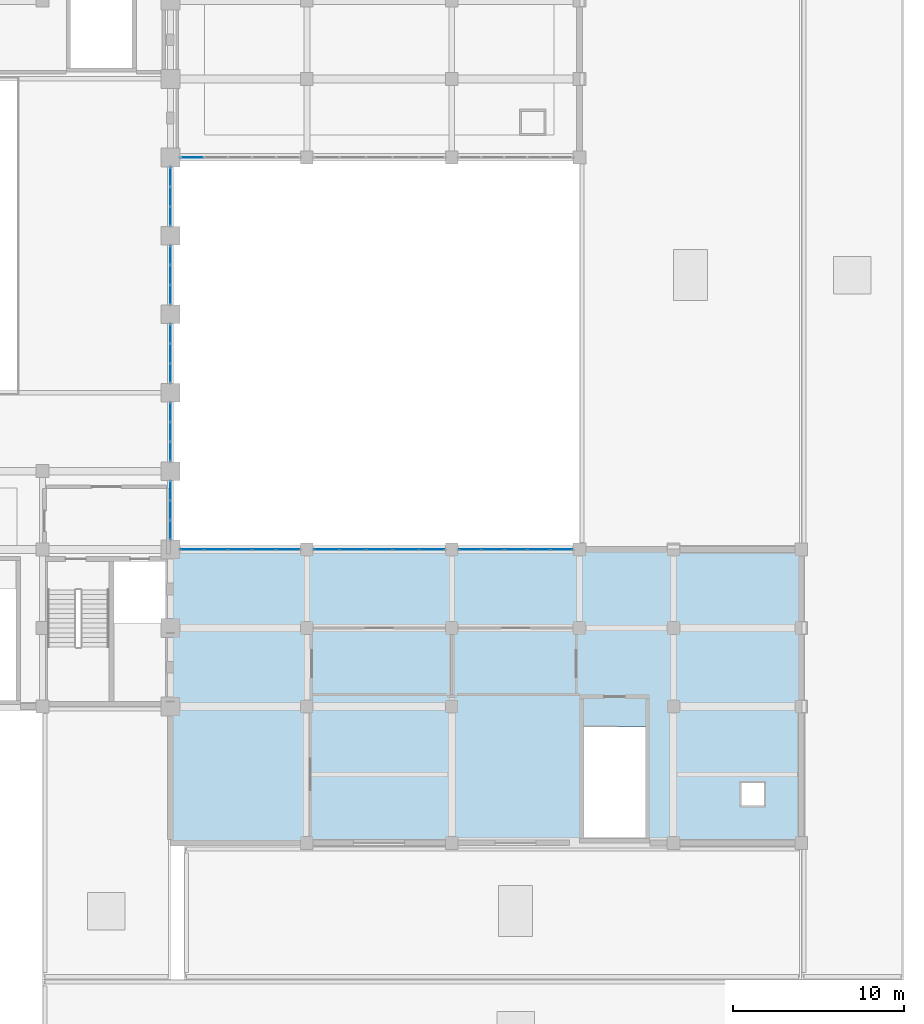
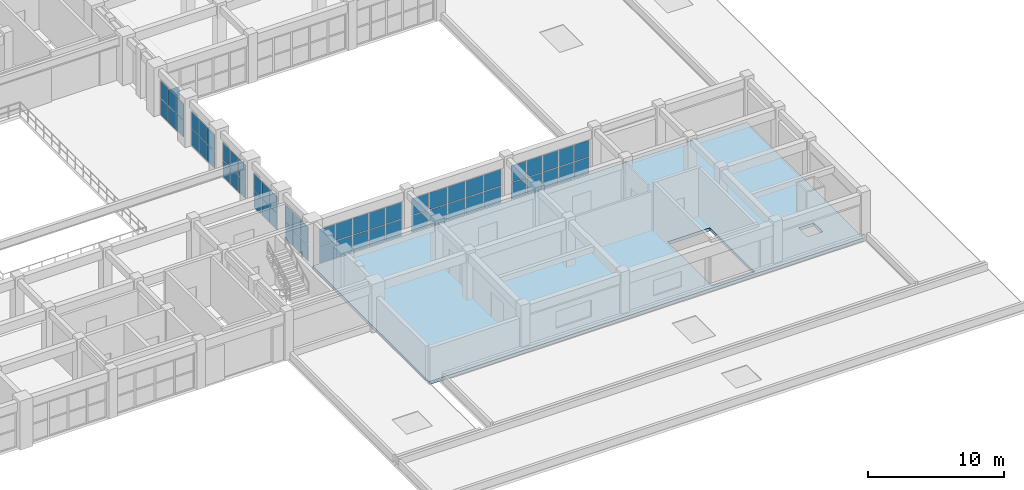
# One storey, part 60 of 90: 61 plates, 1 slab, 9 elements without a shape of their own.
"""IFC4 building model written with IfcOpenShell, lengths in metres."""

from ifc_helpers import new_model, si_unit, direction, frame, origin, origin_2d, place, context, subcontext, project, spatial, polyline, rectangle, outline, extrude, material, layer, layer_set, type_object, element, aggregate, save


model = new_model("IFC4")

# Units and contexts
model_context = context("Model", 3, precision=1e-05, world=origin(), true_north=direction((0.0, 1.0)))
body_context = subcontext(model_context, "Body", "Model", "MODEL_VIEW")
ifc_project = project(units=[si_unit("LENGTHUNIT", "METRE"), si_unit("AREAUNIT", "SQUARE_METRE"), si_unit("VOLUMEUNIT", "CUBIC_METRE"), si_unit("PLANEANGLEUNIT", "RADIAN"), si_unit("MASSUNIT", "GRAM", prefix="KILO")], contexts=[model_context])

# Site, building, storey
site_placement = place(None, origin())
site = spatial("IfcSite", under=ifc_project, at=site_placement, CompositionType="ELEMENT")
building_placement = place(site_placement, origin())
building = spatial("IfcBuilding", under=site, at=building_placement, Name="Muzn Square Opera House", CompositionType="ELEMENT")
storey_placement = place(building_placement, frame((0.0, 0.0, 9.800048828125)))
storey = spatial("IfcBuildingStorey", under=building, at=storey_placement, Name="L02", CompositionType="ELEMENT", Elevation=9.800048828125)

# Curtain wall, plates
ifc_material_1 = material(Name="Low-E laminated acoustic double glazing", Category="glass")
ifc_layer_1 = layer(ifc_material_1, 0.159912109375, Name="Low-E laminated acoustic double glazing", Category="glass")
ifc_layer_set_1 = layer_set([ifc_layer_1], Name="Low-E laminated acoustic double glazing")
curtain_wall_type_1 = type_object("IfcCurtainWallType", Name="Glazed Curtain Wall EastVaultCourt 3500x3150", PredefinedType="USERDEFINED", material=ifc_layer_set_1)
curtain_wall_1_placement = place(storey_placement, origin())
curtain_wall_1 = element("IfcCurtainWall", 1, at=curtain_wall_1_placement, inside=storey, type_object=curtain_wall_type_1, Name="Glazed Curtain Wall CW-L02-050", ObjectType="GLAZED CURTAIN WALL", PredefinedType="USERDEFINED")
ifc_layer_2 = layer(ifc_material_1, 0.028076171875, Name="Low-E laminated acoustic double glazing", Category="glass")
ifc_layer_set_2 = layer_set([ifc_layer_2], Name="Low-E laminated acoustic double glazing")
plate_type = type_object("IfcPlateType", Name="Curtain Wall Acoustic Glazed Panel 28mm", PredefinedType="CURTAIN_PANEL", material=ifc_layer_set_2)
plate_1_placement = place(storey_placement, frame((133.0, 32.348388671875, 0.06005859375), z_axis=(0.0, 0.0, 1.0), x_axis=(0.0, 1.0, 0.0)))
plate_1 = element("IfcPlate", 2, at=plate_1_placement, type_object=plate_type, Name="CW-EVC-35x31 panel 1.1", PredefinedType="CURTAIN_PANEL", context=body_context, shape_type="SweptSolid", body=[
    extrude(rectangle(XDim=1.07666015625, YDim=0.028076171875, at=origin_2d()), origin(), (0.0, 0.0, 1.0), 1.485107421875),
])
plate_2_placement = place(storey_placement, frame((133.0, 32.348388671875, 1.60498046875), z_axis=(0.0, 0.0, 1.0), x_axis=(0.0, 1.0, 0.0)))
plate_2 = element("IfcPlate", 3, at=plate_2_placement, type_object=plate_type, Name="CW-EVC-35x31 panel 1.2", PredefinedType="CURTAIN_PANEL", context=body_context, shape_type="SweptSolid", body=[
    extrude(rectangle(XDim=1.07666015625, YDim=0.028076171875, at=origin_2d()), origin(), (0.0, 0.0, 1.0), 1.485107421875),
])
plate_3_placement = place(storey_placement, frame((133.0, 33.5, 0.06005859375), z_axis=(0.0, 0.0, 1.0), x_axis=(0.0, 1.0, 0.0)))
plate_3 = element("IfcPlate", 4, at=plate_3_placement, type_object=plate_type, Name="CW-EVC-35x31 panel 2.1", PredefinedType="CURTAIN_PANEL", context=body_context, shape_type="SweptSolid", body=[
    extrude(rectangle(XDim=1.106689453125, YDim=0.028076171875, at=origin_2d()), origin(), (0.0, 0.0, 1.0), 1.485107421875),
])
plate_4_placement = place(storey_placement, frame((133.0, 33.5, 1.60498046875), z_axis=(0.0, 0.0, 1.0), x_axis=(0.0, 1.0, 0.0)))
plate_4 = element("IfcPlate", 5, at=plate_4_placement, type_object=plate_type, Name="CW-EVC-35x31 panel 2.2", PredefinedType="CURTAIN_PANEL", context=body_context, shape_type="SweptSolid", body=[
    extrude(rectangle(XDim=1.106689453125, YDim=0.028076171875, at=origin_2d()), origin(), (0.0, 0.0, 1.0), 1.485107421875),
])
plate_5_placement = place(storey_placement, frame((133.0, 34.651611328125, 0.06005859375), z_axis=(0.0, 0.0, 1.0), x_axis=(0.0, 1.0, 0.0)))
plate_5 = element("IfcPlate", 6, at=plate_5_placement, type_object=plate_type, Name="CW-EVC-35x31 panel 3.1", PredefinedType="CURTAIN_PANEL", context=body_context, shape_type="SweptSolid", body=[
    extrude(rectangle(XDim=1.07666015625, YDim=0.028076171875, at=origin_2d()), origin(), (0.0, 0.0, 1.0), 1.485107421875),
])
plate_6_placement = place(storey_placement, frame((133.0, 34.651611328125, 1.60498046875), z_axis=(0.0, 0.0, 1.0), x_axis=(0.0, 1.0, 0.0)))
plate_6 = element("IfcPlate", 7, at=plate_6_placement, type_object=plate_type, Name="CW-EVC-35x31 panel 3.2", PredefinedType="CURTAIN_PANEL", context=body_context, shape_type="SweptSolid", body=[
    extrude(rectangle(XDim=1.07666015625, YDim=0.028076171875, at=origin_2d()), origin(), (0.0, 0.0, 1.0), 1.485107421875),
])
aggregate(curtain_wall_1, [plate_1, plate_2, plate_3, plate_4, plate_5, plate_6])

curtain_wall_2_placement = place(storey_placement, origin())
curtain_wall_2 = element("IfcCurtainWall", 8, at=curtain_wall_2_placement, inside=storey, type_object=curtain_wall_type_1, Name="Glazed Curtain Wall CW-L02-052", ObjectType="GLAZED CURTAIN WALL", PredefinedType="USERDEFINED")
plate_7_placement = place(storey_placement, frame((133.0, 36.9482421875, 0.06005859375), z_axis=(0.0, 0.0, 1.0), x_axis=(0.0, 1.0, 0.0)))
plate_7 = element("IfcPlate", 9, at=plate_7_placement, type_object=plate_type, Name="CW-EVC-35x31 panel 1.1", PredefinedType="CURTAIN_PANEL", context=body_context, shape_type="SweptSolid", body=[
    extrude(rectangle(XDim=1.07666015625, YDim=0.028076171875, at=origin_2d()), origin(), (0.0, 0.0, 1.0), 1.485107421875),
])
plate_8_placement = place(storey_placement, frame((133.0, 36.9482421875, 1.60498046875), z_axis=(0.0, 0.0, 1.0), x_axis=(0.0, 1.0, 0.0)))
plate_8 = element("IfcPlate", 10, at=plate_8_placement, type_object=plate_type, Name="CW-EVC-35x31 panel 1.2", PredefinedType="CURTAIN_PANEL", context=body_context, shape_type="SweptSolid", body=[
    extrude(rectangle(XDim=1.07666015625, YDim=0.028076171875, at=origin_2d()), origin(), (0.0, 0.0, 1.0), 1.485107421875),
])
plate_9_placement = place(storey_placement, frame((133.0, 38.10009765625, 0.06005859375), z_axis=(0.0, 0.0, 1.0), x_axis=(0.0, 1.0, 0.0)))
plate_9 = element("IfcPlate", 11, at=plate_9_placement, type_object=plate_type, Name="CW-EVC-35x31 panel 2.1", PredefinedType="CURTAIN_PANEL", context=body_context, shape_type="SweptSolid", body=[
    extrude(rectangle(XDim=1.106689453125, YDim=0.028076171875, at=origin_2d()), origin(), (0.0, 0.0, 1.0), 1.485107421875),
])
plate_10_placement = place(storey_placement, frame((133.0, 38.10009765625, 1.60498046875), z_axis=(0.0, 0.0, 1.0), x_axis=(0.0, 1.0, 0.0)))
plate_10 = element("IfcPlate", 12, at=plate_10_placement, type_object=plate_type, Name="CW-EVC-35x31 panel 2.2", PredefinedType="CURTAIN_PANEL", context=body_context, shape_type="SweptSolid", body=[
    extrude(rectangle(XDim=1.106689453125, YDim=0.028076171875, at=origin_2d()), origin(), (0.0, 0.0, 1.0), 1.485107421875),
])
plate_11_placement = place(storey_placement, frame((133.0, 39.251708984375, 0.06005859375), z_axis=(0.0, 0.0, 1.0), x_axis=(0.0, 1.0, 0.0)))
plate_11 = element("IfcPlate", 13, at=plate_11_placement, type_object=plate_type, Name="CW-EVC-35x31 panel 3.1", PredefinedType="CURTAIN_PANEL", context=body_context, shape_type="SweptSolid", body=[
    extrude(rectangle(XDim=1.07666015625, YDim=0.028076171875, at=origin_2d()), origin(), (0.0, 0.0, 1.0), 1.485107421875),
])
plate_12_placement = place(storey_placement, frame((133.0, 39.251708984375, 1.60498046875), z_axis=(0.0, 0.0, 1.0), x_axis=(0.0, 1.0, 0.0)))
plate_12 = element("IfcPlate", 14, at=plate_12_placement, type_object=plate_type, Name="CW-EVC-35x31 panel 3.2", PredefinedType="CURTAIN_PANEL", context=body_context, shape_type="SweptSolid", body=[
    extrude(rectangle(XDim=1.07666015625, YDim=0.028076171875, at=origin_2d()), origin(), (0.0, 0.0, 1.0), 1.485107421875),
])
aggregate(curtain_wall_2, [plate_7, plate_8, plate_9, plate_10, plate_11, plate_12])

curtain_wall_3_placement = place(storey_placement, origin())
curtain_wall_3 = element("IfcCurtainWall", 15, at=curtain_wall_3_placement, inside=storey, type_object=curtain_wall_type_1, Name="Glazed Curtain Wall CW-L02-054", ObjectType="GLAZED CURTAIN WALL", PredefinedType="USERDEFINED")
plate_13_placement = place(storey_placement, frame((133.0, 41.54833984375, 0.06005859375), z_axis=(0.0, 0.0, 1.0), x_axis=(0.0, 1.0, 0.0)))
plate_13 = element("IfcPlate", 16, at=plate_13_placement, type_object=plate_type, Name="CW-EVC-35x31 panel 1.1", PredefinedType="CURTAIN_PANEL", context=body_context, shape_type="SweptSolid", body=[
    extrude(rectangle(XDim=1.07666015625, YDim=0.028076171875, at=origin_2d()), origin(), (0.0, 0.0, 1.0), 1.485107421875),
])
plate_14_placement = place(storey_placement, frame((133.0, 41.54833984375, 1.60498046875), z_axis=(0.0, 0.0, 1.0), x_axis=(0.0, 1.0, 0.0)))
plate_14 = element("IfcPlate", 17, at=plate_14_placement, type_object=plate_type, Name="CW-EVC-35x31 panel 1.2", PredefinedType="CURTAIN_PANEL", context=body_context, shape_type="SweptSolid", body=[
    extrude(rectangle(XDim=1.07666015625, YDim=0.028076171875, at=origin_2d()), origin(), (0.0, 0.0, 1.0), 1.485107421875),
])
plate_15_placement = place(storey_placement, frame((133.0, 42.699951171875, 0.06005859375), z_axis=(0.0, 0.0, 1.0), x_axis=(0.0, 1.0, 0.0)))
plate_15 = element("IfcPlate", 18, at=plate_15_placement, type_object=plate_type, Name="CW-EVC-35x31 panel 2.1", PredefinedType="CURTAIN_PANEL", context=body_context, shape_type="SweptSolid", body=[
    extrude(rectangle(XDim=1.106689453125, YDim=0.028076171875, at=origin_2d()), origin(), (0.0, 0.0, 1.0), 1.485107421875),
])
plate_16_placement = place(storey_placement, frame((133.0, 42.699951171875, 1.60498046875), z_axis=(0.0, 0.0, 1.0), x_axis=(0.0, 1.0, 0.0)))
plate_16 = element("IfcPlate", 19, at=plate_16_placement, type_object=plate_type, Name="CW-EVC-35x31 panel 2.2", PredefinedType="CURTAIN_PANEL", context=body_context, shape_type="SweptSolid", body=[
    extrude(rectangle(XDim=1.106689453125, YDim=0.028076171875, at=origin_2d()), origin(), (0.0, 0.0, 1.0), 1.485107421875),
])
plate_17_placement = place(storey_placement, frame((133.0, 43.8515625, 0.06005859375), z_axis=(0.0, 0.0, 1.0), x_axis=(0.0, 1.0, 0.0)))
plate_17 = element("IfcPlate", 20, at=plate_17_placement, type_object=plate_type, Name="CW-EVC-35x31 panel 3.1", PredefinedType="CURTAIN_PANEL", context=body_context, shape_type="SweptSolid", body=[
    extrude(rectangle(XDim=1.07666015625, YDim=0.028076171875, at=origin_2d()), origin(), (0.0, 0.0, 1.0), 1.485107421875),
])
plate_18_placement = place(storey_placement, frame((133.0, 43.8515625, 1.60498046875), z_axis=(0.0, 0.0, 1.0), x_axis=(0.0, 1.0, 0.0)))
plate_18 = element("IfcPlate", 21, at=plate_18_placement, type_object=plate_type, Name="CW-EVC-35x31 panel 3.2", PredefinedType="CURTAIN_PANEL", context=body_context, shape_type="SweptSolid", body=[
    extrude(rectangle(XDim=1.07666015625, YDim=0.028076171875, at=origin_2d()), origin(), (0.0, 0.0, 1.0), 1.485107421875),
])
aggregate(curtain_wall_3, [plate_13, plate_14, plate_15, plate_16, plate_17, plate_18])

curtain_wall_4_placement = place(storey_placement, origin())
curtain_wall_4 = element("IfcCurtainWall", 22, at=curtain_wall_4_placement, inside=storey, type_object=curtain_wall_type_1, Name="Glazed Curtain Wall CW-L02-056", ObjectType="GLAZED CURTAIN WALL", PredefinedType="USERDEFINED")
plate_19_placement = place(storey_placement, frame((133.0, 46.1484375, 0.06005859375), z_axis=(0.0, 0.0, 1.0), x_axis=(0.0, 1.0, 0.0)))
plate_19 = element("IfcPlate", 23, at=plate_19_placement, type_object=plate_type, Name="CW-EVC-35x31 panel 1.1", PredefinedType="CURTAIN_PANEL", context=body_context, shape_type="SweptSolid", body=[
    extrude(rectangle(XDim=1.07666015625, YDim=0.028076171875, at=origin_2d()), origin(), (0.0, 0.0, 1.0), 1.485107421875),
])
plate_20_placement = place(storey_placement, frame((133.0, 46.1484375, 1.60498046875), z_axis=(0.0, 0.0, 1.0), x_axis=(0.0, 1.0, 0.0)))
plate_20 = element("IfcPlate", 24, at=plate_20_placement, type_object=plate_type, Name="CW-EVC-35x31 panel 1.2", PredefinedType="CURTAIN_PANEL", context=body_context, shape_type="SweptSolid", body=[
    extrude(rectangle(XDim=1.07666015625, YDim=0.028076171875, at=origin_2d()), origin(), (0.0, 0.0, 1.0), 1.485107421875),
])
plate_21_placement = place(storey_placement, frame((133.0, 47.300048828125, 0.06005859375), z_axis=(0.0, 0.0, 1.0), x_axis=(0.0, 1.0, 0.0)))
plate_21 = element("IfcPlate", 25, at=plate_21_placement, type_object=plate_type, Name="CW-EVC-35x31 panel 2.1", PredefinedType="CURTAIN_PANEL", context=body_context, shape_type="SweptSolid", body=[
    extrude(rectangle(XDim=1.106689453125, YDim=0.028076171875, at=origin_2d()), origin(), (0.0, 0.0, 1.0), 1.485107421875),
])
plate_22_placement = place(storey_placement, frame((133.0, 47.300048828125, 1.60498046875), z_axis=(0.0, 0.0, 1.0), x_axis=(0.0, 1.0, 0.0)))
plate_22 = element("IfcPlate", 26, at=plate_22_placement, type_object=plate_type, Name="CW-EVC-35x31 panel 2.2", PredefinedType="CURTAIN_PANEL", context=body_context, shape_type="SweptSolid", body=[
    extrude(rectangle(XDim=1.106689453125, YDim=0.028076171875, at=origin_2d()), origin(), (0.0, 0.0, 1.0), 1.485107421875),
])
plate_23_placement = place(storey_placement, frame((133.0, 48.45166015625, 0.06005859375), z_axis=(0.0, 0.0, 1.0), x_axis=(0.0, 1.0, 0.0)))
plate_23 = element("IfcPlate", 27, at=plate_23_placement, type_object=plate_type, Name="CW-EVC-35x31 panel 3.1", PredefinedType="CURTAIN_PANEL", context=body_context, shape_type="SweptSolid", body=[
    extrude(rectangle(XDim=1.07666015625, YDim=0.028076171875, at=origin_2d()), origin(), (0.0, 0.0, 1.0), 1.485107421875),
])
plate_24_placement = place(storey_placement, frame((133.0, 48.45166015625, 1.60498046875), z_axis=(0.0, 0.0, 1.0), x_axis=(0.0, 1.0, 0.0)))
plate_24 = element("IfcPlate", 28, at=plate_24_placement, type_object=plate_type, Name="CW-EVC-35x31 panel 3.2", PredefinedType="CURTAIN_PANEL", context=body_context, shape_type="SweptSolid", body=[
    extrude(rectangle(XDim=1.07666015625, YDim=0.028076171875, at=origin_2d()), origin(), (0.0, 0.0, 1.0), 1.485107421875),
])
aggregate(curtain_wall_4, [plate_19, plate_20, plate_21, plate_22, plate_23, plate_24])

curtain_wall_5_placement = place(storey_placement, origin())
curtain_wall_5 = element("IfcCurtainWall", 29, at=curtain_wall_5_placement, inside=storey, type_object=curtain_wall_type_1, Name="Glazed Curtain Wall CW-L02-058", ObjectType="GLAZED CURTAIN WALL", PredefinedType="USERDEFINED")
plate_25_placement = place(storey_placement, frame((133.0, 50.748291015625, 0.06005859375), z_axis=(0.0, 0.0, 1.0), x_axis=(0.0, 1.0, 0.0)))
plate_25 = element("IfcPlate", 30, at=plate_25_placement, type_object=plate_type, Name="CW-EVC-35x31 panel 1.1", PredefinedType="CURTAIN_PANEL", context=body_context, shape_type="SweptSolid", body=[
    extrude(rectangle(XDim=1.07666015625, YDim=0.028076171875, at=origin_2d()), origin(), (0.0, 0.0, 1.0), 1.485107421875),
])
plate_26_placement = place(storey_placement, frame((133.0, 50.748291015625, 1.60498046875), z_axis=(0.0, 0.0, 1.0), x_axis=(0.0, 1.0, 0.0)))
plate_26 = element("IfcPlate", 31, at=plate_26_placement, type_object=plate_type, Name="CW-EVC-35x31 panel 1.2", PredefinedType="CURTAIN_PANEL", context=body_context, shape_type="SweptSolid", body=[
    extrude(rectangle(XDim=1.07666015625, YDim=0.028076171875, at=origin_2d()), origin(), (0.0, 0.0, 1.0), 1.485107421875),
])
plate_27_placement = place(storey_placement, frame((133.0, 51.89990234375, 0.06005859375), z_axis=(0.0, 0.0, 1.0), x_axis=(0.0, 1.0, 0.0)))
plate_27 = element("IfcPlate", 32, at=plate_27_placement, type_object=plate_type, Name="CW-EVC-35x31 panel 2.1", PredefinedType="CURTAIN_PANEL", context=body_context, shape_type="SweptSolid", body=[
    extrude(rectangle(XDim=1.106689453125, YDim=0.028076171875, at=origin_2d()), origin(), (0.0, 0.0, 1.0), 1.485107421875),
])
plate_28_placement = place(storey_placement, frame((133.0, 51.89990234375, 1.60498046875), z_axis=(0.0, 0.0, 1.0), x_axis=(0.0, 1.0, 0.0)))
plate_28 = element("IfcPlate", 33, at=plate_28_placement, type_object=plate_type, Name="CW-EVC-35x31 panel 2.2", PredefinedType="CURTAIN_PANEL", context=body_context, shape_type="SweptSolid", body=[
    extrude(rectangle(XDim=1.106689453125, YDim=0.028076171875, at=origin_2d()), origin(), (0.0, 0.0, 1.0), 1.485107421875),
])
plate_29_placement = place(storey_placement, frame((133.0, 53.0517578125, 0.06005859375), z_axis=(0.0, 0.0, 1.0), x_axis=(0.0, 1.0, 0.0)))
plate_29 = element("IfcPlate", 34, at=plate_29_placement, type_object=plate_type, Name="CW-EVC-35x31 panel 3.1", PredefinedType="CURTAIN_PANEL", context=body_context, shape_type="SweptSolid", body=[
    extrude(rectangle(XDim=1.07666015625, YDim=0.028076171875, at=origin_2d()), origin(), (0.0, 0.0, 1.0), 1.485107421875),
])
plate_30_placement = place(storey_placement, frame((133.0, 53.0517578125, 1.60498046875), z_axis=(0.0, 0.0, 1.0), x_axis=(0.0, 1.0, 0.0)))
plate_30 = element("IfcPlate", 35, at=plate_30_placement, type_object=plate_type, Name="CW-EVC-35x31 panel 3.2", PredefinedType="CURTAIN_PANEL", context=body_context, shape_type="SweptSolid", body=[
    extrude(rectangle(XDim=1.07666015625, YDim=0.028076171875, at=origin_2d()), origin(), (0.0, 0.0, 1.0), 1.485107421875),
])
aggregate(curtain_wall_5, [plate_25, plate_26, plate_27, plate_28, plate_29, plate_30])

ifc_layer_3 = layer(ifc_material_1, 0.159912109375, Name="Low-E laminated acoustic double glazing", Category="glass")
ifc_layer_set_3 = layer_set([ifc_layer_3], Name="Low-E laminated acoustic double glazing")
curtain_wall_type_2 = type_object("IfcCurtainWallType", Name="Glazed Curtain Wall EastCloisterS 7075x3150", PredefinedType="USERDEFINED", material=ifc_layer_set_3)
curtain_wall_6_placement = place(storey_placement, origin())
curtain_wall_6 = element("IfcCurtainWall", 36, at=curtain_wall_6_placement, inside=storey, type_object=curtain_wall_type_2, Name="Glazed Curtain Wall CW-L02-099", ObjectType="GLAZED CURTAIN WALL", PredefinedType="USERDEFINED")
plate_31_placement = place(storey_placement, frame((134.2724609375, 31.199951171875, 0.06005859375), z_axis=(0.0, 0.0, 1.0), x_axis=(1.0, 0.0, 0.0)))
plate_31 = element("IfcPlate", 37, at=plate_31_placement, type_object=plate_type, Name="CW-ECS-70x31 panel 1.1", PredefinedType="CURTAIN_PANEL", context=body_context, shape_type="SweptSolid", body=[
    extrude(rectangle(XDim=1.324951171875, YDim=0.028076171875, at=origin_2d()), origin(), (0.0, 0.0, 1.0), 1.485107421875),
])
plate_32_placement = place(storey_placement, frame((134.2724609375, 31.199951171875, 1.60498046875), z_axis=(0.0, 0.0, 1.0), x_axis=(1.0, 0.0, 0.0)))
plate_32 = element("IfcPlate", 38, at=plate_32_placement, type_object=plate_type, Name="CW-ECS-70x31 panel 1.2", PredefinedType="CURTAIN_PANEL", context=body_context, shape_type="SweptSolid", body=[
    extrude(rectangle(XDim=1.324951171875, YDim=0.028076171875, at=origin_2d()), origin(), (0.0, 0.0, 1.0), 1.485107421875),
])
plate_33_placement = place(storey_placement, frame((135.672607421875, 31.199951171875, 0.06005859375), z_axis=(0.0, 0.0, 1.0), x_axis=(1.0, 0.0, 0.0)))
plate_33 = element("IfcPlate", 39, at=plate_33_placement, type_object=plate_type, Name="CW-ECS-70x31 panel 2.1", PredefinedType="CURTAIN_PANEL", context=body_context, shape_type="SweptSolid", body=[
    extrude(rectangle(XDim=1.35498046875, YDim=0.028076171875, at=origin_2d()), origin(), (0.0, 0.0, 1.0), 1.485107421875),
])
plate_34_placement = place(storey_placement, frame((135.672607421875, 31.199951171875, 1.60498046875), z_axis=(0.0, 0.0, 1.0), x_axis=(1.0, 0.0, 0.0)))
plate_34 = element("IfcPlate", 40, at=plate_34_placement, type_object=plate_type, Name="CW-ECS-70x31 panel 2.2", PredefinedType="CURTAIN_PANEL", context=body_context, shape_type="SweptSolid", body=[
    extrude(rectangle(XDim=1.35498046875, YDim=0.028076171875, at=origin_2d()), origin(), (0.0, 0.0, 1.0), 1.485107421875),
])
plate_35_placement = place(storey_placement, frame((137.08740234375, 31.199951171875, 0.06005859375), z_axis=(0.0, 0.0, 1.0), x_axis=(1.0, 0.0, 0.0)))
plate_35 = element("IfcPlate", 41, at=plate_35_placement, type_object=plate_type, Name="CW-ECS-70x31 panel 3.1", PredefinedType="CURTAIN_PANEL", context=body_context, shape_type="SweptSolid", body=[
    extrude(rectangle(XDim=1.35498046875, YDim=0.028076171875, at=origin_2d()), origin(), (0.0, 0.0, 1.0), 1.485107421875),
])
plate_36_placement = place(storey_placement, frame((137.08740234375, 31.199951171875, 1.60498046875), z_axis=(0.0, 0.0, 1.0), x_axis=(1.0, 0.0, 0.0)))
plate_36 = element("IfcPlate", 42, at=plate_36_placement, type_object=plate_type, Name="CW-ECS-70x31 panel 3.2", PredefinedType="CURTAIN_PANEL", context=body_context, shape_type="SweptSolid", body=[
    extrude(rectangle(XDim=1.35498046875, YDim=0.028076171875, at=origin_2d()), origin(), (0.0, 0.0, 1.0), 1.485107421875),
])
plate_37_placement = place(storey_placement, frame((138.50244140625, 31.199951171875, 0.06005859375), z_axis=(0.0, 0.0, 1.0), x_axis=(1.0, 0.0, 0.0)))
plate_37 = element("IfcPlate", 43, at=plate_37_placement, type_object=plate_type, Name="CW-ECS-70x31 panel 4.1", PredefinedType="CURTAIN_PANEL", context=body_context, shape_type="SweptSolid", body=[
    extrude(rectangle(XDim=1.35498046875, YDim=0.028076171875, at=origin_2d()), origin(), (0.0, 0.0, 1.0), 1.485107421875),
])
plate_38_placement = place(storey_placement, frame((138.50244140625, 31.199951171875, 1.60498046875), z_axis=(0.0, 0.0, 1.0), x_axis=(1.0, 0.0, 0.0)))
plate_38 = element("IfcPlate", 44, at=plate_38_placement, type_object=plate_type, Name="CW-ECS-70x31 panel 4.2", PredefinedType="CURTAIN_PANEL", context=body_context, shape_type="SweptSolid", body=[
    extrude(rectangle(XDim=1.35498046875, YDim=0.028076171875, at=origin_2d()), origin(), (0.0, 0.0, 1.0), 1.485107421875),
])
plate_39_placement = place(storey_placement, frame((139.902587890625, 31.199951171875, 0.06005859375), z_axis=(0.0, 0.0, 1.0), x_axis=(1.0, 0.0, 0.0)))
plate_39 = element("IfcPlate", 45, at=plate_39_placement, type_object=plate_type, Name="CW-ECS-70x31 panel 5.1", PredefinedType="CURTAIN_PANEL", context=body_context, shape_type="SweptSolid", body=[
    extrude(rectangle(XDim=1.324951171875, YDim=0.028076171875, at=origin_2d()), origin(), (0.0, 0.0, 1.0), 1.485107421875),
])
plate_40_placement = place(storey_placement, frame((139.902587890625, 31.199951171875, 1.60498046875), z_axis=(0.0, 0.0, 1.0), x_axis=(1.0, 0.0, 0.0)))
plate_40 = element("IfcPlate", 46, at=plate_40_placement, type_object=plate_type, Name="CW-ECS-70x31 panel 5.2", PredefinedType="CURTAIN_PANEL", context=body_context, shape_type="SweptSolid", body=[
    extrude(rectangle(XDim=1.324951171875, YDim=0.028076171875, at=origin_2d()), origin(), (0.0, 0.0, 1.0), 1.485107421875),
])
aggregate(curtain_wall_6, [plate_31, plate_32, plate_33, plate_34, plate_35, plate_36, plate_37, plate_38, plate_39, plate_40])

# Curtain wall, plate
ifc_layer_4 = layer(ifc_material_1, 0.159912109375, Name="Low-E laminated acoustic double glazing", Category="glass")
ifc_layer_set_4 = layer_set([ifc_layer_4], Name="Low-E laminated acoustic double glazing")
curtain_wall_type_3 = type_object("IfcCurtainWallType", Name="Glazed Curtain Wall EastCloisterN 7075x3150", PredefinedType="USERDEFINED", material=ifc_layer_set_4)
curtain_wall_7_placement = place(storey_placement, origin())
curtain_wall_7 = element("IfcCurtainWall", 47, at=curtain_wall_7_placement, inside=storey, type_object=curtain_wall_type_3, Name="Glazed Curtain Wall CW-L02-100", ObjectType="GLAZED CURTAIN WALL", PredefinedType="USERDEFINED")
plate_41_placement = place(storey_placement, frame((134.2724609375, 54.199951171875, 0.06005859375), z_axis=(0.0, 0.0, 1.0), x_axis=(1.0, 0.0, 0.0)))
plate_41 = element("IfcPlate", 48, at=plate_41_placement, type_object=plate_type, Name="CW-ECN-70x31 panel 1.1", PredefinedType="CURTAIN_PANEL", context=body_context, shape_type="SweptSolid", body=[
    extrude(rectangle(XDim=1.324951171875, YDim=0.028076171875, at=origin_2d()), origin(), (0.0, 0.0, 1.0), 1.485107421875),
])
aggregate(curtain_wall_7, [plate_41])

# Curtain wall, plates
ifc_layer_5 = layer(ifc_material_1, 0.159912109375, Name="Low-E laminated acoustic double glazing", Category="glass")
ifc_layer_set_5 = layer_set([ifc_layer_5], Name="Low-E laminated acoustic double glazing")
curtain_wall_type_4 = type_object("IfcCurtainWallType", Name="Glazed Curtain Wall EastCloisterS 7750x3150", PredefinedType="USERDEFINED", material=ifc_layer_set_5)
curtain_wall_8_placement = place(storey_placement, origin())
curtain_wall_8 = element("IfcCurtainWall", 49, at=curtain_wall_8_placement, inside=storey, type_object=curtain_wall_type_4, Name="Glazed Curtain Wall CW-L02-101", ObjectType="GLAZED CURTAIN WALL", PredefinedType="USERDEFINED")
plate_42_placement = place(storey_placement, frame((142.1650390625, 31.199951171875, 0.06005859375), z_axis=(0.0, 0.0, 1.0), x_axis=(1.0, 0.0, 0.0)))
plate_42 = element("IfcPlate", 50, at=plate_42_placement, type_object=plate_type, Name="CW-ECS-77x31 panel 1.1", PredefinedType="CURTAIN_PANEL", context=body_context, shape_type="SweptSolid", body=[
    extrude(rectangle(XDim=1.4599609375, YDim=0.028076171875, at=origin_2d()), origin(), (0.0, 0.0, 1.0), 1.485107421875),
])
plate_43_placement = place(storey_placement, frame((142.1650390625, 31.199951171875, 1.60498046875), z_axis=(0.0, 0.0, 1.0), x_axis=(1.0, 0.0, 0.0)))
plate_43 = element("IfcPlate", 51, at=plate_43_placement, type_object=plate_type, Name="CW-ECS-77x31 panel 1.2", PredefinedType="CURTAIN_PANEL", context=body_context, shape_type="SweptSolid", body=[
    extrude(rectangle(XDim=1.4599609375, YDim=0.028076171875, at=origin_2d()), origin(), (0.0, 0.0, 1.0), 1.485107421875),
])
plate_44_placement = place(storey_placement, frame((143.699951171875, 31.199951171875, 0.06005859375), z_axis=(0.0, 0.0, 1.0), x_axis=(1.0, 0.0, 0.0)))
plate_44 = element("IfcPlate", 52, at=plate_44_placement, type_object=plate_type, Name="CW-ECS-77x31 panel 2.1", PredefinedType="CURTAIN_PANEL", context=body_context, shape_type="SweptSolid", body=[
    extrude(rectangle(XDim=1.489990234375, YDim=0.028076171875, at=origin_2d()), origin(), (0.0, 0.0, 1.0), 1.485107421875),
])
plate_45_placement = place(storey_placement, frame((143.699951171875, 31.199951171875, 1.60498046875), z_axis=(0.0, 0.0, 1.0), x_axis=(1.0, 0.0, 0.0)))
plate_45 = element("IfcPlate", 53, at=plate_45_placement, type_object=plate_type, Name="CW-ECS-77x31 panel 2.2", PredefinedType="CURTAIN_PANEL", context=body_context, shape_type="SweptSolid", body=[
    extrude(rectangle(XDim=1.489990234375, YDim=0.028076171875, at=origin_2d()), origin(), (0.0, 0.0, 1.0), 1.485107421875),
])
plate_46_placement = place(storey_placement, frame((145.25, 31.199951171875, 0.06005859375), z_axis=(0.0, 0.0, 1.0), x_axis=(1.0, 0.0, 0.0)))
plate_46 = element("IfcPlate", 54, at=plate_46_placement, type_object=plate_type, Name="CW-ECS-77x31 panel 3.1", PredefinedType="CURTAIN_PANEL", context=body_context, shape_type="SweptSolid", body=[
    extrude(rectangle(XDim=1.489990234375, YDim=0.028076171875, at=origin_2d()), origin(), (0.0, 0.0, 1.0), 1.485107421875),
])
plate_47_placement = place(storey_placement, frame((145.25, 31.199951171875, 1.60498046875), z_axis=(0.0, 0.0, 1.0), x_axis=(1.0, 0.0, 0.0)))
plate_47 = element("IfcPlate", 55, at=plate_47_placement, type_object=plate_type, Name="CW-ECS-77x31 panel 3.2", PredefinedType="CURTAIN_PANEL", context=body_context, shape_type="SweptSolid", body=[
    extrude(rectangle(XDim=1.489990234375, YDim=0.028076171875, at=origin_2d()), origin(), (0.0, 0.0, 1.0), 1.485107421875),
])
plate_48_placement = place(storey_placement, frame((146.800048828125, 31.199951171875, 0.06005859375), z_axis=(0.0, 0.0, 1.0), x_axis=(1.0, 0.0, 0.0)))
plate_48 = element("IfcPlate", 56, at=plate_48_placement, type_object=plate_type, Name="CW-ECS-77x31 panel 4.1", PredefinedType="CURTAIN_PANEL", context=body_context, shape_type="SweptSolid", body=[
    extrude(rectangle(XDim=1.489990234375, YDim=0.028076171875, at=origin_2d()), origin(), (0.0, 0.0, 1.0), 1.485107421875),
])
plate_49_placement = place(storey_placement, frame((146.800048828125, 31.199951171875, 1.60498046875), z_axis=(0.0, 0.0, 1.0), x_axis=(1.0, 0.0, 0.0)))
plate_49 = element("IfcPlate", 57, at=plate_49_placement, type_object=plate_type, Name="CW-ECS-77x31 panel 4.2", PredefinedType="CURTAIN_PANEL", context=body_context, shape_type="SweptSolid", body=[
    extrude(rectangle(XDim=1.489990234375, YDim=0.028076171875, at=origin_2d()), origin(), (0.0, 0.0, 1.0), 1.485107421875),
])
plate_50_placement = place(storey_placement, frame((148.3349609375, 31.199951171875, 0.06005859375), z_axis=(0.0, 0.0, 1.0), x_axis=(1.0, 0.0, 0.0)))
plate_50 = element("IfcPlate", 58, at=plate_50_placement, type_object=plate_type, Name="CW-ECS-77x31 panel 5.1", PredefinedType="CURTAIN_PANEL", context=body_context, shape_type="SweptSolid", body=[
    extrude(rectangle(XDim=1.4599609375, YDim=0.028076171875, at=origin_2d()), origin(), (0.0, 0.0, 1.0), 1.485107421875),
])
plate_51_placement = place(storey_placement, frame((148.3349609375, 31.199951171875, 1.60498046875), z_axis=(0.0, 0.0, 1.0), x_axis=(1.0, 0.0, 0.0)))
plate_51 = element("IfcPlate", 59, at=plate_51_placement, type_object=plate_type, Name="CW-ECS-77x31 panel 5.2", PredefinedType="CURTAIN_PANEL", context=body_context, shape_type="SweptSolid", body=[
    extrude(rectangle(XDim=1.4599609375, YDim=0.028076171875, at=origin_2d()), origin(), (0.0, 0.0, 1.0), 1.485107421875),
])
aggregate(curtain_wall_8, [plate_42, plate_43, plate_44, plate_45, plate_46, plate_47, plate_48, plate_49, plate_50, plate_51])

ifc_layer_6 = layer(ifc_material_1, 0.159912109375, Name="Low-E laminated acoustic double glazing", Category="glass")
ifc_layer_set_6 = layer_set([ifc_layer_6], Name="Low-E laminated acoustic double glazing")
curtain_wall_type_5 = type_object("IfcCurtainWallType", Name="Glazed Curtain Wall EastCloisterS 6750x3150", PredefinedType="USERDEFINED", material=ifc_layer_set_6)
curtain_wall_9_placement = place(storey_placement, origin())
curtain_wall_9 = element("IfcCurtainWall", 60, at=curtain_wall_9_placement, inside=storey, type_object=curtain_wall_type_5, Name="Glazed Curtain Wall CW-L02-103", ObjectType="GLAZED CURTAIN WALL", PredefinedType="USERDEFINED")
plate_52_placement = place(storey_placement, frame((150.56494140625, 31.199951171875, 0.06005859375), z_axis=(0.0, 0.0, 1.0), x_axis=(1.0, 0.0, 0.0)))
plate_52 = element("IfcPlate", 61, at=plate_52_placement, type_object=plate_type, Name="CW-ECS-67x31 panel 1.1", PredefinedType="CURTAIN_PANEL", context=body_context, shape_type="SweptSolid", body=[
    extrude(rectangle(XDim=1.260009765625, YDim=0.028076171875, at=origin_2d()), origin(), (0.0, 0.0, 1.0), 1.485107421875),
])
plate_53_placement = place(storey_placement, frame((150.56494140625, 31.199951171875, 1.60498046875), z_axis=(0.0, 0.0, 1.0), x_axis=(1.0, 0.0, 0.0)))
plate_53 = element("IfcPlate", 62, at=plate_53_placement, type_object=plate_type, Name="CW-ECS-67x31 panel 1.2", PredefinedType="CURTAIN_PANEL", context=body_context, shape_type="SweptSolid", body=[
    extrude(rectangle(XDim=1.260009765625, YDim=0.028076171875, at=origin_2d()), origin(), (0.0, 0.0, 1.0), 1.485107421875),
])
plate_54_placement = place(storey_placement, frame((151.89990234375, 31.199951171875, 0.06005859375), z_axis=(0.0, 0.0, 1.0), x_axis=(1.0, 0.0, 0.0)))
plate_54 = element("IfcPlate", 63, at=plate_54_placement, type_object=plate_type, Name="CW-ECS-67x31 panel 2.1", PredefinedType="CURTAIN_PANEL", context=body_context, shape_type="SweptSolid", body=[
    extrude(rectangle(XDim=1.2900390625, YDim=0.028076171875, at=origin_2d()), origin(), (0.0, 0.0, 1.0), 1.485107421875),
])
plate_55_placement = place(storey_placement, frame((151.89990234375, 31.199951171875, 1.60498046875), z_axis=(0.0, 0.0, 1.0), x_axis=(1.0, 0.0, 0.0)))
plate_55 = element("IfcPlate", 64, at=plate_55_placement, type_object=plate_type, Name="CW-ECS-67x31 panel 2.2", PredefinedType="CURTAIN_PANEL", context=body_context, shape_type="SweptSolid", body=[
    extrude(rectangle(XDim=1.2900390625, YDim=0.028076171875, at=origin_2d()), origin(), (0.0, 0.0, 1.0), 1.485107421875),
])
plate_56_placement = place(storey_placement, frame((153.25, 31.199951171875, 0.06005859375), z_axis=(0.0, 0.0, 1.0), x_axis=(1.0, 0.0, 0.0)))
plate_56 = element("IfcPlate", 65, at=plate_56_placement, type_object=plate_type, Name="CW-ECS-67x31 panel 3.1", PredefinedType="CURTAIN_PANEL", context=body_context, shape_type="SweptSolid", body=[
    extrude(rectangle(XDim=1.2900390625, YDim=0.028076171875, at=origin_2d()), origin(), (0.0, 0.0, 1.0), 1.485107421875),
])
plate_57_placement = place(storey_placement, frame((153.25, 31.199951171875, 1.60498046875), z_axis=(0.0, 0.0, 1.0), x_axis=(1.0, 0.0, 0.0)))
plate_57 = element("IfcPlate", 66, at=plate_57_placement, type_object=plate_type, Name="CW-ECS-67x31 panel 3.2", PredefinedType="CURTAIN_PANEL", context=body_context, shape_type="SweptSolid", body=[
    extrude(rectangle(XDim=1.2900390625, YDim=0.028076171875, at=origin_2d()), origin(), (0.0, 0.0, 1.0), 1.485107421875),
])
plate_58_placement = place(storey_placement, frame((154.60009765625, 31.199951171875, 0.06005859375), z_axis=(0.0, 0.0, 1.0), x_axis=(1.0, 0.0, 0.0)))
plate_58 = element("IfcPlate", 67, at=plate_58_placement, type_object=plate_type, Name="CW-ECS-67x31 panel 4.1", PredefinedType="CURTAIN_PANEL", context=body_context, shape_type="SweptSolid", body=[
    extrude(rectangle(XDim=1.2900390625, YDim=0.028076171875, at=origin_2d()), origin(), (0.0, 0.0, 1.0), 1.485107421875),
])
plate_59_placement = place(storey_placement, frame((154.60009765625, 31.199951171875, 1.60498046875), z_axis=(0.0, 0.0, 1.0), x_axis=(1.0, 0.0, 0.0)))
plate_59 = element("IfcPlate", 68, at=plate_59_placement, type_object=plate_type, Name="CW-ECS-67x31 panel 4.2", PredefinedType="CURTAIN_PANEL", context=body_context, shape_type="SweptSolid", body=[
    extrude(rectangle(XDim=1.2900390625, YDim=0.028076171875, at=origin_2d()), origin(), (0.0, 0.0, 1.0), 1.485107421875),
])
plate_60_placement = place(storey_placement, frame((155.93505859375, 31.199951171875, 0.06005859375), z_axis=(0.0, 0.0, 1.0), x_axis=(1.0, 0.0, 0.0)))
plate_60 = element("IfcPlate", 69, at=plate_60_placement, type_object=plate_type, Name="CW-ECS-67x31 panel 5.1", PredefinedType="CURTAIN_PANEL", context=body_context, shape_type="SweptSolid", body=[
    extrude(rectangle(XDim=1.260009765625, YDim=0.028076171875, at=origin_2d()), origin(), (0.0, 0.0, 1.0), 1.485107421875),
])
plate_61_placement = place(storey_placement, frame((155.93505859375, 31.199951171875, 1.60498046875), z_axis=(0.0, 0.0, 1.0), x_axis=(1.0, 0.0, 0.0)))
plate_61 = element("IfcPlate", 70, at=plate_61_placement, type_object=plate_type, Name="CW-ECS-67x31 panel 5.2", PredefinedType="CURTAIN_PANEL", context=body_context, shape_type="SweptSolid", body=[
    extrude(rectangle(XDim=1.260009765625, YDim=0.028076171875, at=origin_2d()), origin(), (0.0, 0.0, 1.0), 1.485107421875),
])
aggregate(curtain_wall_9, [plate_52, plate_53, plate_54, plate_55, plate_56, plate_57, plate_58, plate_59, plate_60, plate_61])

# Slab
ifc_material_2 = material(Name="Concrete C40/50", Category="concrete")
ifc_layer_7 = layer(ifc_material_2, 0.280029296875, Name="Concrete C40/50", Category="concrete")
ifc_layer_set_7 = layer_set([ifc_layer_7], Name="Concrete C40/50")
slab_type = type_object("IfcSlabType", Name="Floor Slab 280mm", PredefinedType="FLOOR", material=ifc_layer_set_7)
slab_placement = place(storey_placement, frame((0.0, 0.0, -0.280029296875)))
element("IfcSlab", 71, at=slab_placement, inside=storey, type_object=slab_type, Name="Floor Slab SLB-L02-ESOUTH", PredefinedType="FLOOR", context=body_context, shape_type="SweptSolid", body=[
    extrude(outline(polyline([(133.0, 14.0), (170.0, 14.0), (170.0, 31.199951171875), (133.0, 31.199951171875), (133.0, 14.0)]), holes=[polyline([(157.25, 14.25), (160.85009765625, 14.25), (160.85009765625, 20.781982421875), (157.25, 20.781982421875), (157.25, 14.25)]), polyline([(166.5, 16.199951171875), (167.800048828125, 16.199951171875), (167.800048828125, 17.5), (166.5, 17.5), (166.5, 16.199951171875)])]), origin(), (0.0, 0.0, 1.0), 0.280029296875),
])

save(model, "model.ifc")
